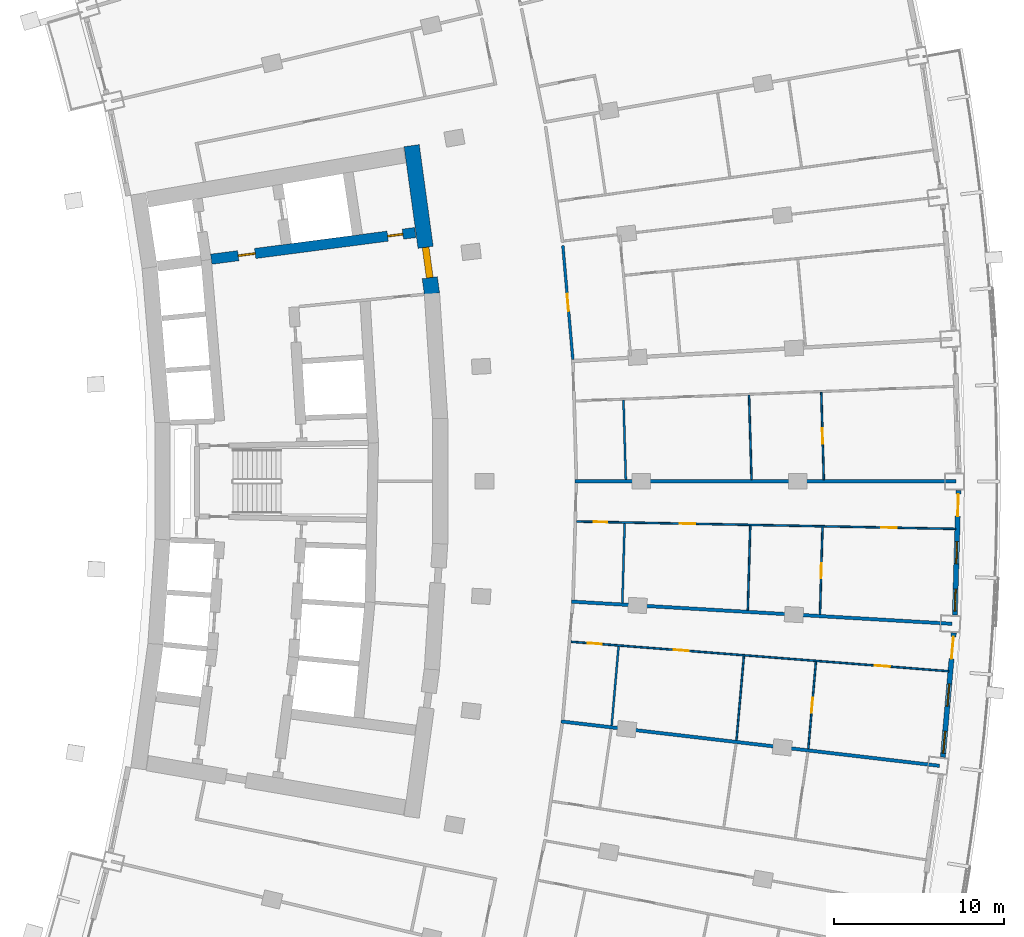
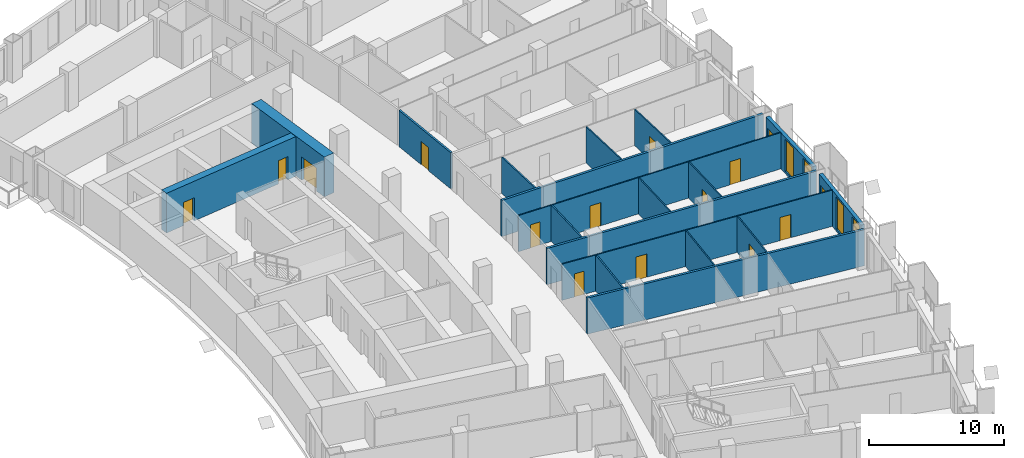
# One storey, part 17 of 24: 19 walls, 15 doors, 4 windows, 19 openings.
"""IFC4 building model written with IfcOpenShell, lengths in metres."""

from ifc_helpers import new_model, si_unit, direction, frame, frame_2d, origin, place, context, subcontext, project, spatial, rectangle, extrude, material, layer, layer_set, type_object, element, fill, save


model = new_model("IFC4")

# Units and contexts
model_context = context("Model", 3, precision=1e-05, world=origin(), true_north=direction((0.0, 1.0)))
body_context = subcontext(model_context, "Body", "Model", "MODEL_VIEW")
ifc_project = project(units=[si_unit("LENGTHUNIT", "METRE"), si_unit("AREAUNIT", "SQUARE_METRE"), si_unit("VOLUMEUNIT", "CUBIC_METRE"), si_unit("PLANEANGLEUNIT", "RADIAN"), si_unit("MASSUNIT", "GRAM", prefix="KILO")], contexts=[model_context])

# Site, building, storey
site_placement = place(None, origin())
site = spatial("IfcSite", under=ifc_project, at=site_placement, CompositionType="ELEMENT")
building_placement = place(site_placement, origin())
building = spatial("IfcBuilding", under=site, at=building_placement, Name="Alderwake Tower", CompositionType="ELEMENT")
storey_placement = place(building_placement, frame((0.0, 0.0, 39.199951171875)))
storey = spatial("IfcBuildingStorey", under=building, at=storey_placement, Name="L08", CompositionType="ELEMENT", Elevation=39.199951171875)

# Wall, opening, door
ifc_material_1 = material(Name="Concrete C70/85", Category="concrete")
ifc_layer_1 = layer(ifc_material_1, 0.89990234375)
ifc_layer_set_1 = layer_set([ifc_layer_1], Name="Core wall outer 900 C70-85")
wall_type_1 = type_object("IfcWallType", Name="Core wall outer 900 C70-85", PredefinedType="SHEAR", material=ifc_layer_set_1)
wall_1_placement = place(storey_placement, frame((31.520263671875, 80.7177734375, 0.0), z_axis=(0.0, 0.0, 1.0), x_axis=(0.135844728876, -0.990730139663, 0.0)))
wall_1 = element("IfcWall", 1, at=wall_1_placement, inside=storey, type_object=wall_type_1, Name="Core wall CW.009", PredefinedType="SHEAR", context=body_context, shape_type="SweptSolid", body=[
    extrude(rectangle(XDim=8.78662109375, YDim=0.89990234375, at=frame_2d((4.393310546875, 0.0))), origin(), (0.0, 0.0, 1.0), 3.60009765625),
])
opening_1_placement = place(wall_1_placement, frame((6.02978515625, 0.0, 0.0)))
opening_1 = element("IfcOpeningElement", 2, at=opening_1_placement, cuts=wall_1, Name="Opening C001", PredefinedType="OPENING", context=body_context, shape_type="SweptSolid", body=[
    extrude(rectangle(XDim=1.800048828125, YDim=2.10009765625, at=frame_2d((0.89990234375, 1.050048828125))), frame((0.0, 0.4599609375, 0.0), z_axis=(0.0, -1.0, 0.0), x_axis=(1.0, 0.0, 0.0)), (0.0, 0.0, 1.0), 0.919921875),
])
ifc_material_2 = material(Name="Steel-framed fire door leaves", Category="steel")
door_type_1 = type_object("IfcDoorType", Name="Core double door 1800 fire-rated", OperationType="DOUBLE_DOOR_SINGLE_SWING", PredefinedType="DOOR", material=ifc_material_2)
door_1_placement = place(opening_1_placement, origin())
door_1 = element("IfcDoor", 3, at=door_1_placement, inside=storey, type_object=door_type_1, Name="Lobby double door", OperationType="DOUBLE_DOOR_SINGLE_SWING", OverallHeight=2.10009765625, OverallWidth=1.800048828125, PredefinedType="DOOR", context=body_context, shape_type="SweptSolid", body=[
    extrude(rectangle(XDim=1.800048828125, YDim=2.10009765625, at=frame_2d((0.89990234375, 1.050048828125))), frame((0.0, 0.199951171875, 0.0), z_axis=(0.0, -1.0, 0.0), x_axis=(1.0, 0.0, 0.0)), (0.0, 0.0, 1.0), 0.39990234375),
])
fill(opening_1, door_1)

# Wall, openings, doors
ifc_material_3 = material(Name="Concrete C70/85", Category="concrete")
ifc_layer_2 = layer(ifc_material_3, 0.60009765625)
ifc_layer_set_2 = layer_set([ifc_layer_2], Name="Core wall spine 600 C70-85")
wall_type_2 = type_object("IfcWallType", Name="Core wall spine 600 C70-85", PredefinedType="SHEAR", material=ifc_layer_set_2)
wall_2_placement = place(storey_placement, frame((31.735595703125, 75.6142578125, 0.0), z_axis=(0.0, 0.0, 1.0), x_axis=(-0.991553829991, -0.129695806526, 0.0)))
wall_2 = element("IfcWall", 4, at=wall_2_placement, inside=storey, type_object=wall_type_2, Name="Core wall CW.052", PredefinedType="SHEAR", context=body_context, shape_type="SweptSolid", body=[
    extrude(rectangle(XDim=12.0869140625, YDim=0.60009765625, at=frame_2d((6.04345703125, 0.0))), origin(), (0.0, 0.0, 1.0), 3.60009765625),
])
opening_2_placement = place(wall_2_placement, frame((9.4873046875, 0.0, 0.0)))
opening_2 = element("IfcOpeningElement", 5, at=opening_2_placement, cuts=wall_2, Name="Opening C002", PredefinedType="OPENING", context=body_context, shape_type="SweptSolid", body=[
    extrude(rectangle(XDim=1.0, YDim=2.10009765625, at=frame_2d((0.5, 1.050048828125))), frame((0.0, 0.31005859375, 0.0), z_axis=(0.0, -1.0, 0.0), x_axis=(1.0, 0.0, 0.0)), (0.0, 0.0, 1.0), 0.6201171875),
])
opening_3_placement = place(wall_2_placement, frame((0.7373046875, 0.0, 0.0)))
opening_3 = element("IfcOpeningElement", 6, at=opening_3_placement, cuts=wall_2, Name="Opening C020", PredefinedType="OPENING", context=body_context, shape_type="SweptSolid", body=[
    extrude(rectangle(XDim=0.89990234375, YDim=2.10009765625, at=frame_2d((0.449951171875, 1.050048828125))), frame((0.0, 0.31005859375, 0.0), z_axis=(0.0, -1.0, 0.0), x_axis=(1.0, 0.0, 0.0)), (0.0, 0.0, 1.0), 0.6201171875),
])
ifc_material_4 = material(Name="Painted steel leaf", Category="steel")
door_type_2 = type_object("IfcDoorType", Name="Core room door 900", OperationType="SINGLE_SWING_LEFT", PredefinedType="DOOR", material=ifc_material_4)
door_2_placement = place(opening_3_placement, origin())
door_2 = element("IfcDoor", 7, at=door_2_placement, inside=storey, type_object=door_type_2, Name="Room door", OperationType="SINGLE_SWING_LEFT", OverallHeight=2.10009765625, OverallWidth=0.89990234375, PredefinedType="DOOR", context=body_context, shape_type="SweptSolid", body=[
    extrude(rectangle(XDim=0.89990234375, YDim=2.10009765625, at=frame_2d((0.449951171875, 1.050048828125))), frame((0.0, 0.050048828125, 0.0), z_axis=(0.0, -1.0, 0.0), x_axis=(1.0, 0.0, 0.0)), (0.0, 0.0, 1.0), 0.10009765625),
])
fill(opening_3, door_2)
ifc_material_5 = material(Name="Steel-framed fire door leaf", Category="steel")
door_type_3 = type_object("IfcDoorType", Name="Firefighting lobby door 1000 fire-rated", OperationType="SINGLE_SWING_LEFT", PredefinedType="DOOR", material=ifc_material_5)
door_3_placement = place(opening_2_placement, origin())
door_3 = element("IfcDoor", 8, at=door_3_placement, inside=storey, type_object=door_type_3, Name="Firefighting lobby door", OperationType="SINGLE_SWING_RIGHT", OverallHeight=2.10009765625, OverallWidth=1.0, PredefinedType="DOOR", context=body_context, shape_type="SweptSolid", body=[
    extrude(rectangle(XDim=1.0, YDim=2.10009765625, at=frame_2d((0.5, 1.050048828125))), frame((0.0, 0.050048828125, 0.0), z_axis=(0.0, -1.0, 0.0), x_axis=(1.0, 0.0, 0.0)), (0.0, 0.0, 1.0), 0.10009765625),
])
fill(opening_2, door_3)

# Wall, opening, door
ifc_material_6 = material(Name="Gypsum board on metal studs, rated")
ifc_layer_3 = layer(ifc_material_6, 0.159912109375)
ifc_layer_set_3 = layer_set([ifc_layer_3], Name="Corridor wall 160")
wall_type_3 = type_object("IfcWallType", Name="Corridor wall 160", PredefinedType="PARTITIONING", material=ifc_layer_set_3)
wall_3_placement = place(storey_placement, frame((40.400390625, 74.84228515625, 0.0), z_axis=(0.0, 0.0, 1.0), x_axis=(0.087437661692, -0.996169993183, 0.0)))
wall_3 = element("IfcWall", 9, at=wall_3_placement, inside=storey, type_object=wall_type_3, Name="WL/L08/W40", PredefinedType="PARTITIONING", context=body_context, shape_type="SweptSolid", body=[
    extrude(rectangle(XDim=6.701171875, YDim=0.159912109375, at=frame_2d((3.3505859375, 0.0))), origin(), (0.0, 0.0, 1.0), 3.280029296875),
])
opening_4_placement = place(wall_3_placement, frame((2.8505859375, 0.0, 0.0)))
opening_4 = element("IfcOpeningElement", 10, at=opening_4_placement, cuts=wall_3, Name="Opening R01-U09.2", PredefinedType="OPENING", context=body_context, shape_type="SweptSolid", body=[
    extrude(rectangle(XDim=1.0, YDim=2.10009765625, at=frame_2d((0.5, 1.050048828125))), frame((0.0, 0.08984375, 0.0), z_axis=(0.0, -1.0, 0.0), x_axis=(1.0, 0.0, 0.0)), (0.0, 0.0, 1.0), 0.179931640625),
])
ifc_material_7 = material(Name="Solid timber leaf in steel frame", Category="steel")
door_type_4 = type_object("IfcDoorType", Name="Flat entrance door 1000 fire-rated", OperationType="SINGLE_SWING_LEFT", PredefinedType="DOOR", material=ifc_material_7)
door_4_placement = place(opening_4_placement, origin())
door_4 = element("IfcDoor", 11, at=door_4_placement, inside=storey, type_object=door_type_4, Name="DR/L08/U09.2", OperationType="SINGLE_SWING_LEFT", OverallHeight=2.10009765625, OverallWidth=1.0, PredefinedType="DOOR", context=body_context, shape_type="SweptSolid", body=[
    extrude(rectangle(XDim=1.0, YDim=2.10009765625, at=frame_2d((0.5, 1.050048828125))), frame((0.0, 0.02490234375, 0.0), z_axis=(0.0, -1.0, 0.0), x_axis=(1.0, 0.0, 0.0)), (0.0, 0.0, 1.0), 0.050048828125),
])
fill(opening_4, door_4)

# Wall, openings, door, windows
ifc_material_8 = material(Name="Precast concrete C50/60 spandrel panel", Category="concrete")
ifc_layer_4 = layer(ifc_material_8, 0.300048828125)
ifc_layer_set_4 = layer_set([ifc_layer_4], Name="External wall EW1 Precast concrete C50/60 spandrel")
wall_type_4 = type_object("IfcWallType", Name="External wall EW1 Precast concrete C50/60 spandrel", PredefinedType="SOLIDWALL", material=ifc_layer_set_4)
wall_4_placement = place(storey_placement, frame((62.71923828125, 44.801513671875, 0.0), z_axis=(0.0, 0.0, 1.0), x_axis=(0.08740868533, 0.996172536125, 0.0)))
wall_4 = element("IfcWall", 12, at=wall_4_placement, inside=storey, type_object=wall_type_4, Name="External wall 15", PredefinedType="SOLIDWALL", context=body_context, shape_type="SweptSolid", body=[
    extrude(rectangle(XDim=7.3291015625, YDim=0.300048828125, at=frame_2d((3.66455078125, 0.0))), origin(), (0.0, 0.0, 1.0), 3.280029296875),
])
opening_5_placement = place(wall_4_placement, frame((0.226806640625, 0.0, 0.199951171875)))
opening_5 = element("IfcOpeningElement", 13, at=opening_5_placement, cuts=wall_4, Name="Opening W1", PredefinedType="OPENING", context=body_context, shape_type="SweptSolid", body=[
    extrude(rectangle(XDim=1.300048828125, YDim=2.89990234375, at=frame_2d((0.64990234375, 1.449951171875))), frame((0.0, 0.159912109375, 0.0), z_axis=(0.0, -1.0, 0.0), x_axis=(1.0, 0.0, 0.0)), (0.0, 0.0, 1.0), 0.320068359375),
])
opening_6_placement = place(wall_4_placement, frame((3.0146484375, 0.0, 0.199951171875)))
opening_6 = element("IfcOpeningElement", 14, at=opening_6_placement, cuts=wall_4, Name="Opening W1", PredefinedType="OPENING", context=body_context, shape_type="SweptSolid", body=[
    extrude(rectangle(XDim=1.300048828125, YDim=2.89990234375, at=frame_2d((0.64990234375, 1.449951171875))), frame((0.0, 0.159912109375, 0.0), z_axis=(0.0, -1.0, 0.0), x_axis=(1.0, 0.0, 0.0)), (0.0, 0.0, 1.0), 0.320068359375),
])
opening_7_placement = place(wall_4_placement, frame((5.802490234375, 0.0, 0.0)))
opening_7 = element("IfcOpeningElement", 15, at=opening_7_placement, cuts=wall_4, Name="Opening D06", PredefinedType="OPENING", context=body_context, shape_type="SweptSolid", body=[
    extrude(rectangle(XDim=1.300048828125, YDim=2.39990234375, at=frame_2d((0.64990234375, 1.199951171875))), frame((0.0, 0.159912109375, 0.0), z_axis=(0.0, -1.0, 0.0), x_axis=(1.0, 0.0, 0.0)), (0.0, 0.0, 1.0), 0.320068359375),
])
ifc_material_9 = material(Name="Bronze tinted glass in aluminium frame", Category="aluminium")
door_type_5 = type_object("IfcDoorType", Name="Balcony door BD sliding", OperationType="SLIDING_TO_LEFT", PredefinedType="DOOR", material=ifc_material_9)
door_5_placement = place(opening_7_placement, origin())
door_5 = element("IfcDoor", 16, at=door_5_placement, inside=storey, type_object=door_type_5, Name="Door D06", OperationType="SLIDING_TO_LEFT", OverallHeight=2.39990234375, OverallWidth=1.300048828125, PredefinedType="DOOR", context=body_context, shape_type="SweptSolid", body=[
    extrude(rectangle(XDim=1.300048828125, YDim=2.39990234375, at=frame_2d((0.64990234375, 1.199951171875))), frame((0.0, 0.02490234375, 0.0), z_axis=(0.0, -1.0, 0.0), x_axis=(1.0, 0.0, 0.0)), (0.0, 0.0, 1.0), 0.050048828125),
])
fill(opening_7, door_5)
ifc_material_10 = material(Name="Bronze tinted glass in aluminium frame", Category="aluminium")
window_type = type_object("IfcWindowType", Name="Window W1 tall fixed and vent", PartitioningType="DOUBLE_PANEL_VERTICAL", PredefinedType="WINDOW", material=ifc_material_10)
window_1_placement = place(opening_5_placement, origin())
window_1 = element("IfcWindow", 17, at=window_1_placement, inside=storey, type_object=window_type, Name="Window W1 tall fixed and vent", OverallHeight=2.89990234375, OverallWidth=1.300048828125, PartitioningType="DOUBLE_PANEL_VERTICAL", PredefinedType="WINDOW", context=body_context, shape_type="SweptSolid", body=[
    extrude(rectangle(XDim=1.300048828125, YDim=2.89990234375, at=frame_2d((0.64990234375, 1.449951171875))), frame((0.0, 0.030029296875, 0.0), z_axis=(0.0, -1.0, 0.0), x_axis=(1.0, 0.0, 0.0)), (0.0, 0.0, 1.0), 0.06005859375),
])
fill(opening_5, window_1)
window_2_placement = place(opening_6_placement, origin())
window_2 = element("IfcWindow", 18, at=window_2_placement, inside=storey, type_object=window_type, Name="Window W1 tall fixed and vent", OverallHeight=2.89990234375, OverallWidth=1.300048828125, PartitioningType="DOUBLE_PANEL_VERTICAL", PredefinedType="WINDOW", context=body_context, shape_type="SweptSolid", body=[
    extrude(rectangle(XDim=1.300048828125, YDim=2.89990234375, at=frame_2d((0.64990234375, 1.449951171875))), frame((0.0, 0.030029296875, 0.0), z_axis=(0.0, -1.0, 0.0), x_axis=(1.0, 0.0, 0.0)), (0.0, 0.0, 1.0), 0.06005859375),
])
fill(opening_6, window_2)

wall_5_placement = place(storey_placement, frame((63.4208984375, 53.1494140625, 0.0), z_axis=(0.0, 0.0, 1.0), x_axis=(0.029179784763, 0.999574179419, 0.0)))
wall_5 = element("IfcWall", 19, at=wall_5_placement, inside=storey, type_object=wall_type_4, Name="External wall 16", PredefinedType="SOLIDWALL", context=body_context, shape_type="SweptSolid", body=[
    extrude(rectangle(XDim=7.329345703125, YDim=0.300048828125, at=frame_2d((3.66455078125, 0.0))), origin(), (0.0, 0.0, 1.0), 3.280029296875),
])
opening_8_placement = place(wall_5_placement, frame((0.226806640625, 0.0, 0.199951171875)))
opening_8 = element("IfcOpeningElement", 20, at=opening_8_placement, cuts=wall_5, Name="Opening W1", PredefinedType="OPENING", context=body_context, shape_type="SweptSolid", body=[
    extrude(rectangle(XDim=1.300048828125, YDim=2.89990234375, at=frame_2d((0.64990234375, 1.449951171875))), frame((0.0, 0.159912109375, 0.0), z_axis=(0.0, -1.0, 0.0), x_axis=(1.0, 0.0, 0.0)), (0.0, 0.0, 1.0), 0.320068359375),
])
opening_9_placement = place(wall_5_placement, frame((3.0146484375, 0.0, 0.199951171875)))
opening_9 = element("IfcOpeningElement", 21, at=opening_9_placement, cuts=wall_5, Name="Opening W1", PredefinedType="OPENING", context=body_context, shape_type="SweptSolid", body=[
    extrude(rectangle(XDim=1.300048828125, YDim=2.89990234375, at=frame_2d((0.64990234375, 1.449951171875))), frame((0.0, 0.159912109375, 0.0), z_axis=(0.0, -1.0, 0.0), x_axis=(1.0, 0.0, 0.0)), (0.0, 0.0, 1.0), 0.320068359375),
])
opening_10_placement = place(wall_5_placement, frame((5.802490234375, 0.0, 0.0)))
opening_10 = element("IfcOpeningElement", 22, at=opening_10_placement, cuts=wall_5, Name="Opening D07", PredefinedType="OPENING", context=body_context, shape_type="SweptSolid", body=[
    extrude(rectangle(XDim=1.300048828125, YDim=2.39990234375, at=frame_2d((0.64990234375, 1.199951171875))), frame((0.0, 0.159912109375, 0.0), z_axis=(0.0, -1.0, 0.0), x_axis=(1.0, 0.0, 0.0)), (0.0, 0.0, 1.0), 0.320068359375),
])
door_6_placement = place(opening_10_placement, origin())
door_6 = element("IfcDoor", 23, at=door_6_placement, inside=storey, type_object=door_type_5, Name="Door D07", OperationType="SLIDING_TO_LEFT", OverallHeight=2.39990234375, OverallWidth=1.300048828125, PredefinedType="DOOR", context=body_context, shape_type="SweptSolid", body=[
    extrude(rectangle(XDim=1.300048828125, YDim=2.39990234375, at=frame_2d((0.64990234375, 1.199951171875))), frame((0.0, 0.02490234375, 0.0), z_axis=(0.0, -1.0, 0.0), x_axis=(1.0, 0.0, 0.0)), (0.0, 0.0, 1.0), 0.050048828125),
])
fill(opening_10, door_6)
window_3_placement = place(opening_8_placement, origin())
window_3 = element("IfcWindow", 24, at=window_3_placement, inside=storey, type_object=window_type, Name="Window W1 tall fixed and vent", OverallHeight=2.89990234375, OverallWidth=1.300048828125, PartitioningType="DOUBLE_PANEL_VERTICAL", PredefinedType="WINDOW", context=body_context, shape_type="SweptSolid", body=[
    extrude(rectangle(XDim=1.300048828125, YDim=2.89990234375, at=frame_2d((0.64990234375, 1.449951171875))), frame((0.0, 0.030029296875, 0.0), z_axis=(0.0, -1.0, 0.0), x_axis=(1.0, 0.0, 0.0)), (0.0, 0.0, 1.0), 0.06005859375),
])
fill(opening_8, window_3)
window_4_placement = place(opening_9_placement, origin())
window_4 = element("IfcWindow", 25, at=window_4_placement, inside=storey, type_object=window_type, Name="Window W1 tall fixed and vent", OverallHeight=2.89990234375, OverallWidth=1.300048828125, PartitioningType="DOUBLE_PANEL_VERTICAL", PredefinedType="WINDOW", context=body_context, shape_type="SweptSolid", body=[
    extrude(rectangle(XDim=1.300048828125, YDim=2.89990234375, at=frame_2d((0.64990234375, 1.449951171875))), frame((0.0, 0.030029296875, 0.0), z_axis=(0.0, -1.0, 0.0), x_axis=(1.0, 0.0, 0.0)), (0.0, 0.0, 1.0), 0.06005859375),
])
fill(opening_9, window_4)

# Walls
ifc_material_11 = material(Name="Dense block masonry wall", Category="masonry")
ifc_layer_5 = layer(ifc_material_11, 0.199951171875)
ifc_layer_set_5 = layer_set([ifc_layer_5], Name="Party wall 200")
wall_type_5 = type_object("IfcWallType", Name="Party wall 200", PredefinedType="SOLIDWALL", material=ifc_layer_set_5)
wall_6_placement = place(storey_placement, frame((62.52294921875, 44.294921875, 0.0), z_axis=(0.0, 0.0, 1.0), x_axis=(-0.993188531932, 0.116518410732, 0.0)))
element("IfcWall", 26, at=wall_6_placement, inside=storey, type_object=wall_type_5, Name="WL/L08/W08", PredefinedType="SOLIDWALL", context=body_context, shape_type="SweptSolid", body=[
    extrude(rectangle(XDim=22.377685546875, YDim=0.199951171875, at=frame_2d((11.18896484375, 0.0))), origin(), (0.0, 0.0, 1.0), 3.280029296875),
])
wall_7_placement = place(storey_placement, frame((63.2548828125, 52.635009765625, 0.0), z_axis=(0.0, 0.0, 1.0), x_axis=(-0.998301502975, 0.058258983497, 0.0)))
element("IfcWall", 27, at=wall_7_placement, inside=storey, type_object=wall_type_5, Name="WL/L08/W09", PredefinedType="SOLIDWALL", context=body_context, shape_type="SweptSolid", body=[
    extrude(rectangle(XDim=22.3779296875, YDim=0.199951171875, at=frame_2d((11.18896484375, 0.0))), origin(), (0.0, 0.0, 1.0), 3.280029296875),
])
wall_8_placement = place(storey_placement, frame((63.5009765625, 60.9990234375, 0.0), z_axis=(0.0, 0.0, 1.0), x_axis=(-1.0, 0.0, 0.0)))
element("IfcWall", 28, at=wall_8_placement, inside=storey, type_object=wall_type_5, Name="WL/L08/W11", PredefinedType="SOLIDWALL", context=body_context, shape_type="SweptSolid", body=[
    extrude(rectangle(XDim=22.382080078125, YDim=0.199951171875, at=frame_2d((11.19091796875, 0.0))), origin(), (0.0, 0.0, 1.0), 3.280029296875),
])

# Wall, openings, doors
ifc_material_12 = material(Name="Gypsum board on metal studs")
ifc_layer_6 = layer(ifc_material_12, 0.10009765625)
ifc_layer_set_6 = layer_set([ifc_layer_6], Name="Unit partition 100")
wall_type_6 = type_object("IfcWallType", Name="Unit partition 100", PredefinedType="PARTITIONING", material=ifc_layer_set_6)
wall_9_placement = place(storey_placement, frame((63.06298828125, 49.85107421875, 0.0), z_axis=(0.0, 0.0, 1.0), x_axis=(-0.996973560129, 0.077741368677, 0.0)))
wall_9 = element("IfcWall", 29, at=wall_9_placement, inside=storey, type_object=wall_type_6, Name="WL/L08/W70", PredefinedType="PARTITIONING", context=body_context, shape_type="SweptSolid", body=[
    extrude(rectangle(XDim=22.262451171875, YDim=0.10009765625, at=frame_2d((11.13134765625, 0.0))), origin(), (0.0, 0.0, 1.0), 3.280029296875),
])
opening_11_placement = place(wall_9_placement, frame((15.3037109375, 0.0, 0.0)))
opening_11 = element("IfcOpeningElement", 30, at=opening_11_placement, cuts=wall_9, Name="Opening R01-U06.1", PredefinedType="OPENING", context=body_context, shape_type="SweptSolid", body=[
    extrude(rectangle(XDim=0.89990234375, YDim=2.10009765625, at=frame_2d((0.449951171875, 1.050048828125))), frame((0.0, 0.06005859375, 0.0), z_axis=(0.0, -1.0, 0.0), x_axis=(1.0, 0.0, 0.0)), (0.0, 0.0, 1.0), 0.1201171875),
])
opening_12_placement = place(wall_9_placement, frame((20.453125, 0.0, 0.0)))
opening_12 = element("IfcOpeningElement", 31, at=opening_12_placement, cuts=wall_9, Name="Opening R01-U06.4", PredefinedType="OPENING", context=body_context, shape_type="SweptSolid", body=[
    extrude(rectangle(XDim=0.800048828125, YDim=2.10009765625, at=frame_2d((0.39990234375, 1.050048828125))), frame((0.0, 0.06005859375, 0.0), z_axis=(0.0, -1.0, 0.0), x_axis=(1.0, 0.0, 0.0)), (0.0, 0.0, 1.0), 0.1201171875),
])
opening_13_placement = place(wall_9_placement, frame((3.4599609375, 0.0, 0.0)))
opening_13 = element("IfcOpeningElement", 32, at=opening_13_placement, cuts=wall_9, Name="Opening R01-U06.5", PredefinedType="OPENING", context=body_context, shape_type="SweptSolid", body=[
    extrude(rectangle(XDim=0.89990234375, YDim=2.10009765625, at=frame_2d((0.449951171875, 1.050048828125))), frame((0.0, 0.06005859375, 0.0), z_axis=(0.0, -1.0, 0.0), x_axis=(1.0, 0.0, 0.0)), (0.0, 0.0, 1.0), 0.1201171875),
])
ifc_material_13 = material(Name="Painted timber leaf", Category="wood")
door_type_6 = type_object("IfcDoorType", Name="Bathroom door 800", OperationType="SINGLE_SWING_LEFT", PredefinedType="DOOR", material=ifc_material_13)
door_7_placement = place(opening_12_placement, origin())
door_7 = element("IfcDoor", 33, at=door_7_placement, inside=storey, type_object=door_type_6, Name="DR/L08/U06.4", OperationType="SINGLE_SWING_LEFT", OverallHeight=2.10009765625, OverallWidth=0.800048828125, PredefinedType="DOOR", context=body_context, shape_type="SweptSolid", body=[
    extrude(rectangle(XDim=0.800048828125, YDim=2.10009765625, at=frame_2d((0.39990234375, 1.050048828125))), frame((0.0, 0.02490234375, 0.0), z_axis=(0.0, -1.0, 0.0), x_axis=(1.0, 0.0, 0.0)), (0.0, 0.0, 1.0), 0.050048828125),
])
fill(opening_12, door_7)
ifc_material_14 = material(Name="Painted timber leaf", Category="wood")
door_type_7 = type_object("IfcDoorType", Name="Room door 900", OperationType="SINGLE_SWING_LEFT", PredefinedType="DOOR", material=ifc_material_14)
door_8_placement = place(opening_11_placement, origin())
door_8 = element("IfcDoor", 34, at=door_8_placement, inside=storey, type_object=door_type_7, Name="DR/L08/U06.1", OperationType="SINGLE_SWING_LEFT", OverallHeight=2.10009765625, OverallWidth=0.89990234375, PredefinedType="DOOR", context=body_context, shape_type="SweptSolid", body=[
    extrude(rectangle(XDim=0.89990234375, YDim=2.10009765625, at=frame_2d((0.449951171875, 1.050048828125))), frame((0.0, 0.02490234375, 0.0), z_axis=(0.0, -1.0, 0.0), x_axis=(1.0, 0.0, 0.0)), (0.0, 0.0, 1.0), 0.050048828125),
])
fill(opening_11, door_8)
door_9_placement = place(opening_13_placement, origin())
door_9 = element("IfcDoor", 35, at=door_9_placement, inside=storey, type_object=door_type_7, Name="DR/L08/U06.5", OperationType="SINGLE_SWING_LEFT", OverallHeight=2.10009765625, OverallWidth=0.89990234375, PredefinedType="DOOR", context=body_context, shape_type="SweptSolid", body=[
    extrude(rectangle(XDim=0.89990234375, YDim=2.10009765625, at=frame_2d((0.449951171875, 1.050048828125))), frame((0.0, 0.02490234375, 0.0), z_axis=(0.0, -1.0, 0.0), x_axis=(1.0, 0.0, 0.0)), (0.0, 0.0, 1.0), 0.050048828125),
])
fill(opening_13, door_9)

wall_10_placement = place(storey_placement, frame((63.468017578125, 58.208984375, 0.0), z_axis=(0.0, 0.0, 1.0), x_axis=(-0.999810526319, 0.019465648238, 0.0)))
wall_10 = element("IfcWall", 36, at=wall_10_placement, inside=storey, type_object=wall_type_6, Name="WL/L08/W72", PredefinedType="PARTITIONING", context=body_context, shape_type="SweptSolid", body=[
    extrude(rectangle(XDim=22.26220703125, YDim=0.10009765625, at=frame_2d((11.131103515625, 0.0))), origin(), (0.0, 0.0, 1.0), 3.280029296875),
])
opening_14_placement = place(wall_10_placement, frame((15.302001953125, 0.0, 0.0)))
opening_14 = element("IfcOpeningElement", 37, at=opening_14_placement, cuts=wall_10, Name="Opening R01-U07.1", PredefinedType="OPENING", context=body_context, shape_type="SweptSolid", body=[
    extrude(rectangle(XDim=0.89990234375, YDim=2.10009765625, at=frame_2d((0.449951171875, 1.050048828125))), frame((0.0, 0.06005859375, 0.0), z_axis=(0.0, -1.0, 0.0), x_axis=(1.0, 0.0, 0.0)), (0.0, 0.0, 1.0), 0.1201171875),
])
opening_15_placement = place(wall_10_placement, frame((20.4521484375, 0.0, 0.0)))
opening_15 = element("IfcOpeningElement", 38, at=opening_15_placement, cuts=wall_10, Name="Opening R01-U07.4", PredefinedType="OPENING", context=body_context, shape_type="SweptSolid", body=[
    extrude(rectangle(XDim=0.800048828125, YDim=2.10009765625, at=frame_2d((0.39990234375, 1.050048828125))), frame((0.0, 0.06005859375, 0.0), z_axis=(0.0, -1.0, 0.0), x_axis=(1.0, 0.0, 0.0)), (0.0, 0.0, 1.0), 0.1201171875),
])
opening_16_placement = place(wall_10_placement, frame((3.458984375, 0.0, 0.0)))
opening_16 = element("IfcOpeningElement", 39, at=opening_16_placement, cuts=wall_10, Name="Opening R01-U07.5", PredefinedType="OPENING", context=body_context, shape_type="SweptSolid", body=[
    extrude(rectangle(XDim=0.89990234375, YDim=2.10009765625, at=frame_2d((0.449951171875, 1.050048828125))), frame((0.0, 0.06005859375, 0.0), z_axis=(0.0, -1.0, 0.0), x_axis=(1.0, 0.0, 0.0)), (0.0, 0.0, 1.0), 0.1201171875),
])
door_10_placement = place(opening_15_placement, origin())
door_10 = element("IfcDoor", 40, at=door_10_placement, inside=storey, type_object=door_type_6, Name="DR/L08/U07.4", OperationType="SINGLE_SWING_LEFT", OverallHeight=2.10009765625, OverallWidth=0.800048828125, PredefinedType="DOOR", context=body_context, shape_type="SweptSolid", body=[
    extrude(rectangle(XDim=0.800048828125, YDim=2.10009765625, at=frame_2d((0.39990234375, 1.050048828125))), frame((0.0, 0.02490234375, 0.0), z_axis=(0.0, -1.0, 0.0), x_axis=(1.0, 0.0, 0.0)), (0.0, 0.0, 1.0), 0.050048828125),
])
fill(opening_15, door_10)
door_11_placement = place(opening_14_placement, origin())
door_11 = element("IfcDoor", 41, at=door_11_placement, inside=storey, type_object=door_type_7, Name="DR/L08/U07.1", OperationType="SINGLE_SWING_LEFT", OverallHeight=2.10009765625, OverallWidth=0.89990234375, PredefinedType="DOOR", context=body_context, shape_type="SweptSolid", body=[
    extrude(rectangle(XDim=0.89990234375, YDim=2.10009765625, at=frame_2d((0.449951171875, 1.050048828125))), frame((0.0, 0.02490234375, 0.0), z_axis=(0.0, -1.0, 0.0), x_axis=(1.0, 0.0, 0.0)), (0.0, 0.0, 1.0), 0.050048828125),
])
fill(opening_14, door_11)
door_12_placement = place(opening_16_placement, origin())
door_12 = element("IfcDoor", 42, at=door_12_placement, inside=storey, type_object=door_type_7, Name="DR/L08/U07.5", OperationType="SINGLE_SWING_LEFT", OverallHeight=2.10009765625, OverallWidth=0.89990234375, PredefinedType="DOOR", context=body_context, shape_type="SweptSolid", body=[
    extrude(rectangle(XDim=0.89990234375, YDim=2.10009765625, at=frame_2d((0.449951171875, 1.050048828125))), frame((0.0, 0.02490234375, 0.0), z_axis=(0.0, -1.0, 0.0), x_axis=(1.0, 0.0, 0.0)), (0.0, 0.0, 1.0), 0.050048828125),
])
fill(opening_16, door_12)

# Walls
wall_11_placement = place(storey_placement, frame((50.597900390625, 45.795654296875, 0.0), z_axis=(0.0, 0.0, 1.0), x_axis=(0.087406882324, 0.996172694327, 0.0)))
element("IfcWall", 43, at=wall_11_placement, inside=storey, type_object=wall_type_6, Name="WL/L08/W80", PredefinedType="PARTITIONING", context=body_context, shape_type="SweptSolid", body=[
    extrude(rectangle(XDim=4.960693359375, YDim=0.10009765625, at=frame_2d((2.48046875, 0.0))), origin(), (0.0, 0.0, 1.0), 3.280029296875),
])
for number, where, z_axis, x_axis, name in (
    (44, (51.260986328125, 53.43408203125, 0.0), (0.0, 0.0, 1.0), (0.029312335146, 0.999570301184, 0.0), "WL/L08/W82"),
    (45, (51.47998046875, 61.09912109375, 0.0), (0.0, 0.0, 1.0), (-0.029312335146, 0.999570301184, 0.0), "WL/L08/W83"),
):
    element("IfcWall", number, at=place(storey_placement, frame(where, z_axis=z_axis, x_axis=x_axis)), inside=storey, type_object=wall_type_6, Name=name, PredefinedType="PARTITIONING", context=body_context, shape_type="SweptSolid", body=[
        extrude(rectangle(XDim=4.964111328125, YDim=0.10009765625, at=frame_2d((2.48193359375, 0.0))), origin(), (0.0, 0.0, 1.0), 3.280029296875),
    ])

# Wall, opening, door
wall_12_placement = place(storey_placement, frame((54.815673828125, 45.30078125, 0.0), z_axis=(0.0, 0.0, 1.0), x_axis=(0.087018058121, 0.996206734348, 0.0)))
wall_12 = element("IfcWall", 46, at=wall_12_placement, inside=storey, type_object=wall_type_6, Name="WL/L08/W88", PredefinedType="PARTITIONING", context=body_context, shape_type="SweptSolid", body=[
    extrude(rectangle(XDim=5.1259765625, YDim=0.10009765625, at=frame_2d((2.56298828125, 0.0))), origin(), (0.0, 0.0, 1.0), 3.280029296875),
])
opening_17_placement = place(wall_12_placement, frame((2.113037109375, 0.0, 0.0)))
opening_17 = element("IfcOpeningElement", 47, at=opening_17_placement, cuts=wall_12, Name="Opening R01-U06.2", PredefinedType="OPENING", context=body_context, shape_type="SweptSolid", body=[
    extrude(rectangle(XDim=0.89990234375, YDim=2.10009765625, at=frame_2d((0.449951171875, 1.050048828125))), frame((0.0, 0.06005859375, 0.0), z_axis=(0.0, -1.0, 0.0), x_axis=(1.0, 0.0, 0.0)), (0.0, 0.0, 1.0), 0.1201171875),
])
door_13_placement = place(opening_17_placement, origin())
door_13 = element("IfcDoor", 48, at=door_13_placement, inside=storey, type_object=door_type_7, Name="DR/L08/U06.2", OperationType="SINGLE_SWING_LEFT", OverallHeight=2.10009765625, OverallWidth=0.89990234375, PredefinedType="DOOR", context=body_context, shape_type="SweptSolid", body=[
    extrude(rectangle(XDim=0.89990234375, YDim=2.10009765625, at=frame_2d((0.449951171875, 1.050048828125))), frame((0.0, 0.02490234375, 0.0), z_axis=(0.0, -1.0, 0.0), x_axis=(1.0, 0.0, 0.0)), (0.0, 0.0, 1.0), 0.050048828125),
])
fill(opening_17, door_13)

wall_13_placement = place(storey_placement, frame((55.5, 53.18798828125, 0.0), z_axis=(0.0, 0.0, 1.0), x_axis=(0.029004373183, 0.999579284667, 0.0)))
wall_13 = element("IfcWall", 49, at=wall_13_placement, inside=storey, type_object=wall_type_6, Name="WL/L08/W89", PredefinedType="PARTITIONING", context=body_context, shape_type="SweptSolid", body=[
    extrude(rectangle(XDim=5.126220703125, YDim=0.10009765625, at=frame_2d((2.56298828125, 0.0))), origin(), (0.0, 0.0, 1.0), 3.280029296875),
])
opening_18_placement = place(wall_13_placement, frame((2.113037109375, 0.0, 0.0)))
opening_18 = element("IfcOpeningElement", 50, at=opening_18_placement, cuts=wall_13, Name="Opening R01-U07.2", PredefinedType="OPENING", context=body_context, shape_type="SweptSolid", body=[
    extrude(rectangle(XDim=0.89990234375, YDim=2.10009765625, at=frame_2d((0.449951171875, 1.050048828125))), frame((0.0, 0.06005859375, 0.0), z_axis=(0.0, -1.0, 0.0), x_axis=(1.0, 0.0, 0.0)), (0.0, 0.0, 1.0), 0.1201171875),
])
door_14_placement = place(opening_18_placement, origin())
door_14 = element("IfcDoor", 51, at=door_14_placement, inside=storey, type_object=door_type_7, Name="DR/L08/U07.2", OperationType="SINGLE_SWING_LEFT", OverallHeight=2.10009765625, OverallWidth=0.89990234375, PredefinedType="DOOR", context=body_context, shape_type="SweptSolid", body=[
    extrude(rectangle(XDim=0.89990234375, YDim=2.10009765625, at=frame_2d((0.449951171875, 1.050048828125))), frame((0.0, 0.02490234375, 0.0), z_axis=(0.0, -1.0, 0.0), x_axis=(1.0, 0.0, 0.0)), (0.0, 0.0, 1.0), 0.050048828125),
])
fill(opening_18, door_14)

wall_14_placement = place(storey_placement, frame((55.72509765625, 61.09912109375, 0.0), z_axis=(0.0, 0.0, 1.0), x_axis=(-0.028987813186, 0.999579765045, 0.0)))
wall_14 = element("IfcWall", 52, at=wall_14_placement, inside=storey, type_object=wall_type_6, Name="WL/L08/W90", PredefinedType="PARTITIONING", context=body_context, shape_type="SweptSolid", body=[
    extrude(rectangle(XDim=5.129150390625, YDim=0.10009765625, at=frame_2d((2.564453125, 0.0))), origin(), (0.0, 0.0, 1.0), 3.280029296875),
])
opening_19_placement = place(wall_14_placement, frame((2.114501953125, 0.0, 0.0)))
opening_19 = element("IfcOpeningElement", 53, at=opening_19_placement, cuts=wall_14, Name="Opening R01-U08.2", PredefinedType="OPENING", context=body_context, shape_type="SweptSolid", body=[
    extrude(rectangle(XDim=0.89990234375, YDim=2.10009765625, at=frame_2d((0.449951171875, 1.050048828125))), frame((0.0, 0.06005859375, 0.0), z_axis=(0.0, -1.0, 0.0), x_axis=(1.0, 0.0, 0.0)), (0.0, 0.0, 1.0), 0.1201171875),
])
door_15_placement = place(opening_19_placement, origin())
door_15 = element("IfcDoor", 54, at=door_15_placement, inside=storey, type_object=door_type_7, Name="DR/L08/U08.2", OperationType="SINGLE_SWING_LEFT", OverallHeight=2.10009765625, OverallWidth=0.89990234375, PredefinedType="DOOR", context=body_context, shape_type="SweptSolid", body=[
    extrude(rectangle(XDim=0.89990234375, YDim=2.10009765625, at=frame_2d((0.449951171875, 1.050048828125))), frame((0.0, 0.02490234375, 0.0), z_axis=(0.0, -1.0, 0.0), x_axis=(1.0, 0.0, 0.0)), (0.0, 0.0, 1.0), 0.050048828125),
])
fill(opening_19, door_15)

# Walls
ifc_material_15 = material(Name="Moisture resistant gypsum board on metal studs")
ifc_layer_7 = layer(ifc_material_15, 0.1201171875)
ifc_layer_set_7 = layer_set([ifc_layer_7], Name="Wet room partition 120")
wall_type_7 = type_object("IfcWallType", Name="Wet room partition 120", PredefinedType="PARTITIONING", material=ifc_layer_set_7)
wall_15_placement = place(storey_placement, frame((43.265625, 46.65380859375, 0.0), z_axis=(0.0, 0.0, 1.0), x_axis=(0.087069112872, 0.996202273428, 0.0)))
element("IfcWall", 55, at=wall_15_placement, inside=storey, type_object=wall_type_7, Name="WL/L08/W59", PredefinedType="PARTITIONING", context=body_context, shape_type="SweptSolid", body=[
    extrude(rectangle(XDim=4.67431640625, YDim=0.1201171875, at=frame_2d((2.337158203125, 0.0))), origin(), (0.0, 0.0, 1.0), 3.280029296875),
])
wall_16_placement = place(storey_placement, frame((43.892822265625, 53.865966796875, 0.0), z_axis=(0.0, 0.0, 1.0), x_axis=(0.029256273894, 0.999571943603, 0.0)))
element("IfcWall", 56, at=wall_16_placement, inside=storey, type_object=wall_type_7, Name="WL/L08/W61", PredefinedType="PARTITIONING", context=body_context, shape_type="SweptSolid", body=[
    extrude(rectangle(XDim=4.673095703125, YDim=0.1201171875, at=frame_2d((2.33642578125, 0.0))), origin(), (0.0, 0.0, 1.0), 3.280029296875),
])
wall_17_placement = place(storey_placement, frame((44.09716796875, 61.09912109375, 0.0), z_axis=(0.0, 0.0, 1.0), x_axis=(-0.029239477833, 0.999572435062, 0.0)))
element("IfcWall", 57, at=wall_17_placement, inside=storey, type_object=wall_type_7, Name="WL/L08/W62", PredefinedType="PARTITIONING", context=body_context, shape_type="SweptSolid", body=[
    extrude(rectangle(XDim=4.67578125, YDim=0.1201171875, at=frame_2d((2.337890625, 0.0))), origin(), (0.0, 0.0, 1.0), 3.280029296875),
])

save(model, "model.ifc")
